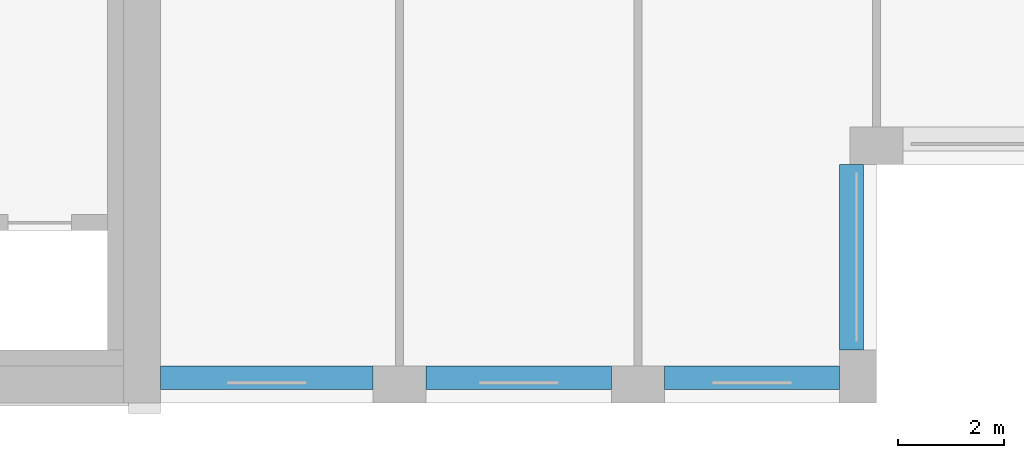
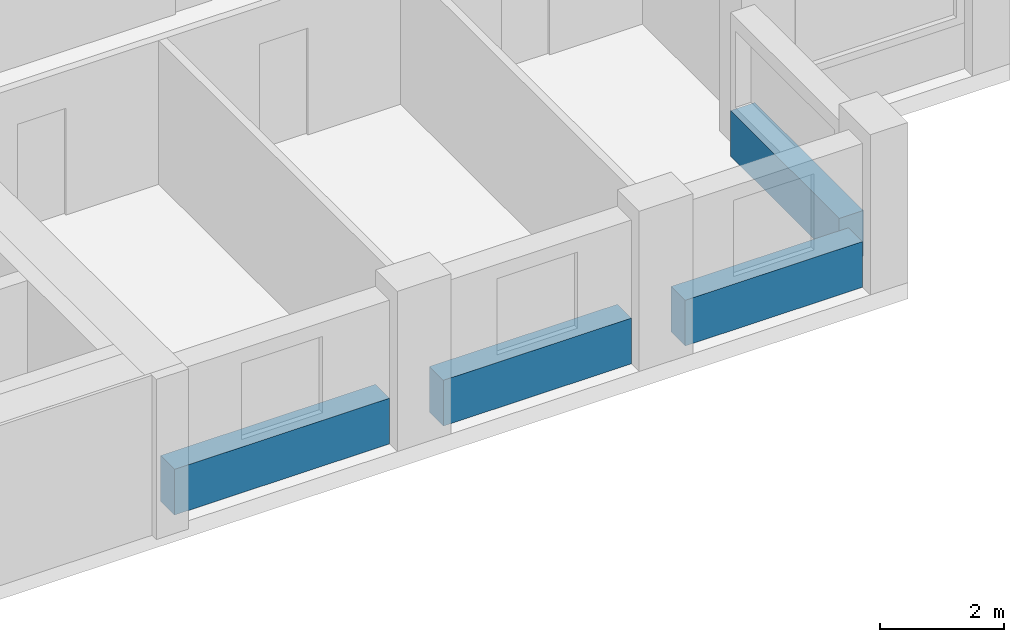
# One storey, part 3 of 15: 4 beams.
"""IFC4 building model written with IfcOpenShell, lengths in metres."""

import ifcopenshell
import ifcopenshell.guid

model = None  # the IFC model being written
_history = None  # IfcOwnerHistory: only IFC2X3 demands one
_inside = {}  # id of a spatial element -> (the spatial element, [elements in it])
_under = {}  # id of a project, library or spatial element -> (it, [spatial elements below it])
_declared = {}  # id of a project -> (the project, [libraries it declares])
_typed = {}  # id of a type object -> (the type object, [elements of that type])
_made_of = {}  # id of a material, layer set ... -> (it, [elements and type objects made of it])


def new_model(schema):
    """Start an empty IFC model of exactly this schema.

    Asked for "IFC4X3", IfcOpenShell would pick the latest addendum, in which some entities
    have other attributes; the version numbers below select the first issue.
    IFC2X3 requires an IfcOwnerHistory on every rooted entity: one is made here for all.
    """
    global model, _history
    if schema == "IFC4X3":
        model = ifcopenshell.file(schema_version=(4, 3, 0, 0))
    else:
        model = ifcopenshell.file(schema=schema)
    _inside.clear()
    _under.clear()
    _declared.clear()
    _typed.clear()
    _made_of.clear()
    _history = None
    if model.schema == "IFC2X3":
        org = make("IfcOrganization", Name="unknown")
        user = make(
            "IfcPersonAndOrganization",
            ThePerson=make("IfcPerson", FamilyName="unknown"),
            TheOrganization=org,
        )
        app = make(
            "IfcApplication",
            ApplicationDeveloper=org,
            Version="unknown",
            ApplicationFullName="unknown",
            ApplicationIdentifier="unknown",
        )
        _history = make(
            "IfcOwnerHistory",
            OwningUser=user,
            OwningApplication=app,
            ChangeAction="ADDED",
            CreationDate=0,
        )
    return model


def make(cls, **values):
    """One entity of the class cls with the attributes given. An attribute that is None is left unset."""
    return model.create_entity(
        cls, **{name: value for name, value in values.items() if value is not None}
    )


def rooted(cls, **values):
    """An entity with a GlobalId (a new one), such as an element, a storey or a relation."""
    return make(cls, GlobalId=ifcopenshell.guid.new(), OwnerHistory=_history, **values)


def si_unit(unit_type, name, prefix=None):
    """IfcSIUnit, for example si_unit("LENGTHUNIT", "METRE", prefix="MILLI")."""
    return make("IfcSIUnit", UnitType=unit_type, Prefix=prefix, Name=name)


def assignment(units):
    """IfcUnitAssignment: the units of a project."""
    return None if units is None else make("IfcUnitAssignment", Units=units)


def point(xyz):
    """IfcCartesianPoint."""
    return None if xyz is None else make("IfcCartesianPoint", Coordinates=xyz)


def direction(xyz):
    """IfcDirection."""
    return None if xyz is None else make("IfcDirection", DirectionRatios=xyz)


def frame(location, z_axis=None, x_axis=None):
    """IfcAxis2Placement3D, a coordinate frame: its origin and axes. An axis left out is left unset."""
    return make(
        "IfcAxis2Placement3D",
        Location=point(location),
        Axis=direction(z_axis),
        RefDirection=direction(x_axis),
    )


def frame_2d(location, x_axis=None):
    """IfcAxis2Placement2D, a coordinate frame in the plane: its origin and x axis."""
    return make(
        "IfcAxis2Placement2D", Location=point(location), RefDirection=direction(x_axis)
    )


def origin():
    """The frame at (0, 0, 0) with its axes left unset."""
    return frame((0.0, 0.0, 0.0))


def origin_2d():
    """The frame at (0, 0) in the plane with its x axis left unset."""
    return frame_2d((0.0, 0.0))


def place(relative_to, where):
    """IfcLocalPlacement: puts the frame where relative to a parent placement (None: the world)."""
    return make(
        "IfcLocalPlacement", PlacementRelTo=relative_to, RelativePlacement=where
    )


def context(
    kind, dimensions, precision=None, world=None, true_north=None, identifier=None
):
    """IfcGeometricRepresentationContext, for example the 3D "Model" context."""
    return make(
        "IfcGeometricRepresentationContext",
        ContextIdentifier=identifier,
        ContextType=kind,
        CoordinateSpaceDimension=dimensions,
        Precision=precision,
        WorldCoordinateSystem=world,
        TrueNorth=true_north,
    )


def subcontext(parent, identifier, kind, view, scale=None):
    """IfcGeometricRepresentationSubContext, for example "Body" below "Model"."""
    return make(
        "IfcGeometricRepresentationSubContext",
        ContextIdentifier=identifier,
        ContextType=kind,
        ParentContext=parent,
        TargetScale=scale,
        TargetView=view,
    )


def project(units=None, contexts=None):
    """IfcProject with its units and contexts."""
    return rooted(
        "IfcProject",
        Name="project",
        RepresentationContexts=contexts,
        UnitsInContext=assignment(units),
    )


def spatial(cls, under=None, at=None, **own):
    """A site, building, storey or space (cls), placed at a placement, below another one or the project."""
    s = rooted(cls, ObjectPlacement=at, **own)
    if under is not None:
        _under.setdefault(under.id(), (under, []))[1].append(s)
    return s


def profile(cls, at=None, kind="AREA", **sizes):
    """A parametric profile (cls). Its sizes go by their IFC names, for example OverallWidth=200.0."""
    return make(cls, ProfileType=kind, Position=at, **sizes)


def rectangle(**sizes):
    """IfcRectangleProfileDef."""
    return profile("IfcRectangleProfileDef", **sizes)


def extrude(swept, where, along, depth):
    """IfcExtrudedAreaSolid: the profile swept, set in the frame where, extruded along a direction by depth."""
    return make(
        "IfcExtrudedAreaSolid",
        SweptArea=swept,
        Position=where,
        ExtrudedDirection=direction(along),
        Depth=depth,
    )


def shape(context_of_items, identifier, shape_type, items):
    """IfcShapeRepresentation: the items that make up one representation, for example the "Body"."""
    return make(
        "IfcShapeRepresentation",
        ContextOfItems=context_of_items,
        RepresentationIdentifier=identifier,
        RepresentationType=shape_type,
        Items=items,
    )


def material(Name=None, Category=None):
    """IfcMaterial."""
    return make("IfcMaterial", Name=Name, Category=Category)


def material_profile(
    of_material, cross_section, Name=None, Category=None, Priority=None
):
    """IfcMaterialProfile: a cross section and its material."""
    return make(
        "IfcMaterialProfile",
        Name=Name,
        Material=of_material,
        Profile=cross_section,
        Priority=Priority,
        Category=Category,
    )


def profile_set(profiles, Name=None, composite=None):
    """IfcMaterialProfileSet."""
    return make(
        "IfcMaterialProfileSet",
        Name=Name,
        MaterialProfiles=profiles,
        CompositeProfile=composite,
    )


def made_of(thing, what):
    """Note that an element or type object is made of a material, layer set ...; save() writes the relation."""
    if what is not None:
        _made_of.setdefault(what.id(), (what, []))[1].append(thing)
    return thing


def type_object(cls, material=None, **own):
    """A type object (cls), such as IfcWallType, which elements share."""
    return made_of(rooted(cls, **own), material)


def element(
    cls,
    number,
    at=None,
    inside=None,
    cuts=None,
    type_object=None,
    material=None,
    context=None,
    identifier="Body",
    shape_type=None,
    held_by="IfcProductDefinitionShape",
    body=None,
    shapes=None,
    **own,
):
    """One element of the class cls, such as IfcWall. Its Tag is "e" and its number.

    at: its placement. inside: the storey or other place that contains it. cuts: it is an
    opening in that element (IfcRelVoidsElement). A single representation is given by context,
    identifier, shape_type and body (its items); several are given by shapes. held_by: the class
    of the entity that holds the representations. save() writes the other relations.
    """
    e = rooted(cls, Tag="e%d" % number, ObjectPlacement=at, **own)
    if body is not None:
        shapes = [shape(context, identifier, shape_type, body)]
    if shapes is not None:
        e.Representation = make(held_by, Representations=shapes)
    if inside is not None:
        _inside.setdefault(inside.id(), (inside, []))[1].append(e)
    if cuts is not None:
        rooted(
            "IfcRelVoidsElement", RelatingBuildingElement=cuts, RelatedOpeningElement=e
        )
    if type_object is not None:
        _typed.setdefault(type_object.id(), (type_object, []))[1].append(e)
    return made_of(e, material)


def aggregate(whole, parts):
    """IfcRelAggregates: a whole, such as a stair, and the parts it consists of."""
    return rooted("IfcRelAggregates", RelatingObject=whole, RelatedObjects=parts)


def save(model, path):
    """Write the relations noted so far, then the file.

    IfcRelAggregates (storeys below a building ...), IfcRelContainedInSpatialStructure (elements
    in a storey), IfcRelDefinesByType, IfcRelAssociatesMaterial and IfcRelDeclares: one each for
    every whole, place, type object, material and project.
    """
    for whole, parts in _under.values():
        aggregate(whole, parts)
    for where, things in _inside.values():
        rooted(
            "IfcRelContainedInSpatialStructure",
            RelatedElements=things,
            RelatingStructure=where,
        )
    for kind, things in _typed.values():
        rooted("IfcRelDefinesByType", RelatedObjects=things, RelatingType=kind)
    for what, things in _made_of.values():
        rooted("IfcRelAssociatesMaterial", RelatedObjects=things, RelatingMaterial=what)
    for by, libraries in _declared.values():
        rooted("IfcRelDeclares", RelatingContext=by, RelatedDefinitions=libraries)
    model.write(path)


model = new_model("IFC4")

# Units and contexts
model_context = context("Model", 3, precision=1e-05, world=origin(), true_north=direction((0.0, 1.0)))
body_context = subcontext(model_context, "Body", "Model", "MODEL_VIEW")
ifc_project = project(units=[si_unit("LENGTHUNIT", "METRE"), si_unit("AREAUNIT", "SQUARE_METRE"), si_unit("VOLUMEUNIT", "CUBIC_METRE"), si_unit("PLANEANGLEUNIT", "RADIAN"), si_unit("MASSUNIT", "GRAM", prefix="KILO")], contexts=[model_context])

# Site, building, storey
site_placement = place(None, origin())
site = spatial("IfcSite", under=ifc_project, at=site_placement, CompositionType="ELEMENT")
building_placement = place(site_placement, origin())
building = spatial("IfcBuilding", under=site, at=building_placement, Name="Brigalow Station Residences", CompositionType="ELEMENT")
storey_placement = place(building_placement, frame((0.0, 0.0, 144.449951171875)))
storey = spatial("IfcBuildingStorey", under=building, at=storey_placement, Name="L41", CompositionType="ELEMENT", Elevation=144.449951171875)

# Beams
ifc_material = material(Name="Concrete C50", Category="concrete")
ifc_material_profile = material_profile(ifc_material, rectangle(XDim=0.449951171875, YDim=0.89990234375, at=origin_2d()), Name="RC450x900")
ifc_profile_set = profile_set([ifc_material_profile], Name="Concrete C50")
beam_type = type_object("IfcBeamType", Name="SPANDREL BEAM 450x900 C50", PredefinedType="SPANDREL", material=ifc_profile_set)
beam_1_placement = place(storey_placement, frame((54.0, 0.47509765625, 0.449951171875), z_axis=(1.0, 0.0, 0.0), x_axis=(0.0, 1.0, 0.0)))
element("IfcBeam", 1, at=beam_1_placement, inside=storey, type_object=beam_type, Name="L41/spandrel/W-L41-4", PredefinedType="SPANDREL", context=body_context, shape_type="SweptSolid", body=[
    extrude(rectangle(XDim=0.449951171875, YDim=0.89990234375, at=origin_2d()), origin(), (0.0, 0.0, 1.0), 4.0),
])
beam_2_placement = place(storey_placement, frame((59.0, 0.47509765625, 0.449951171875), z_axis=(1.0, 0.0, 0.0), x_axis=(0.0, 1.0, 0.0)))
element("IfcBeam", 2, at=beam_2_placement, inside=storey, type_object=beam_type, Name="L41/spandrel/W-L41-5", PredefinedType="SPANDREL", context=body_context, shape_type="SweptSolid", body=[
    extrude(rectangle(XDim=0.449951171875, YDim=0.89990234375, at=origin_2d()), origin(), (0.0, 0.0, 1.0), 3.5),
])
beam_3_placement = place(storey_placement, frame((63.5, 0.47509765625, 0.449951171875), z_axis=(1.0, 0.0, 0.0), x_axis=(0.0, 1.0, 0.0)))
element("IfcBeam", 3, at=beam_3_placement, inside=storey, type_object=beam_type, Name="L41/spandrel/W-L41-6", PredefinedType="SPANDREL", context=body_context, shape_type="SweptSolid", body=[
    extrude(rectangle(XDim=0.449951171875, YDim=0.89990234375, at=origin_2d()), origin(), (0.0, 0.0, 1.0), 3.300048828125),
])
beam_4_placement = place(storey_placement, frame((67.02490234375, 1.0, 0.449951171875), z_axis=(0.0, 1.0, 0.0), x_axis=(-1.0, 0.0, 0.0)))
element("IfcBeam", 4, at=beam_4_placement, inside=storey, type_object=beam_type, Name="L41/spandrel/W-L41-7", PredefinedType="SPANDREL", context=body_context, shape_type="SweptSolid", body=[
    extrude(rectangle(XDim=0.449951171875, YDim=0.89990234375, at=origin_2d()), origin(), (0.0, 0.0, 1.0), 3.5),
])

save(model, "model.ifc")
